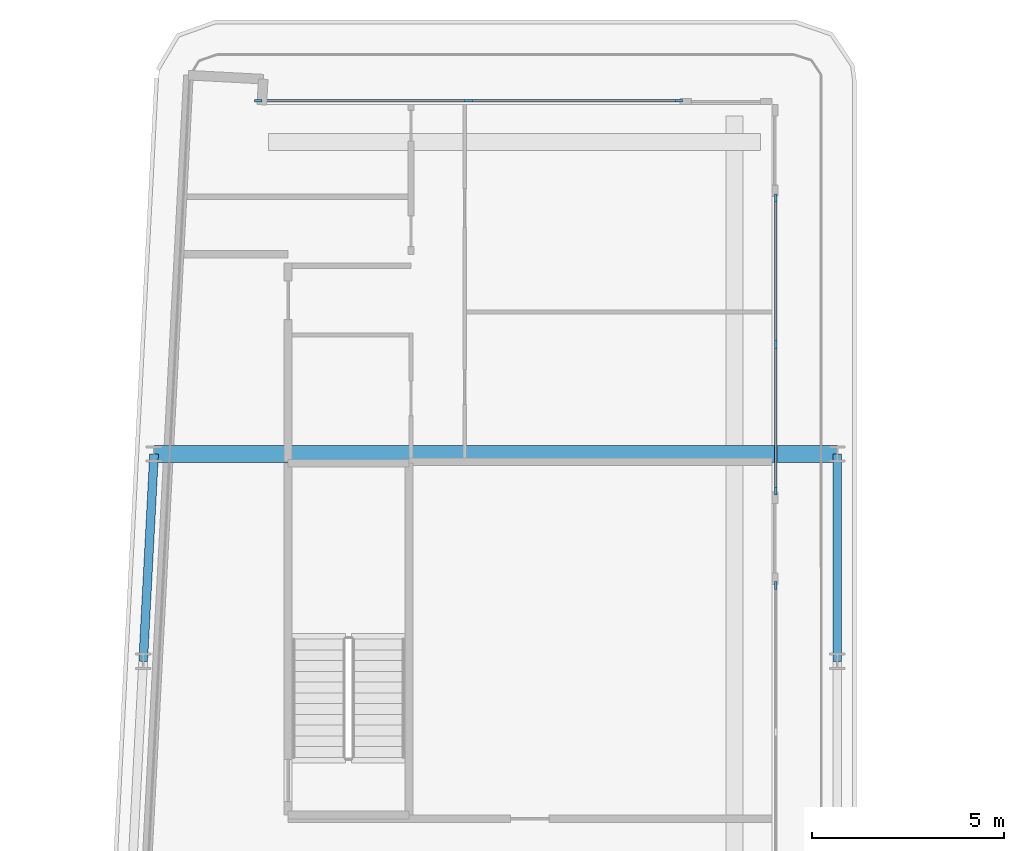
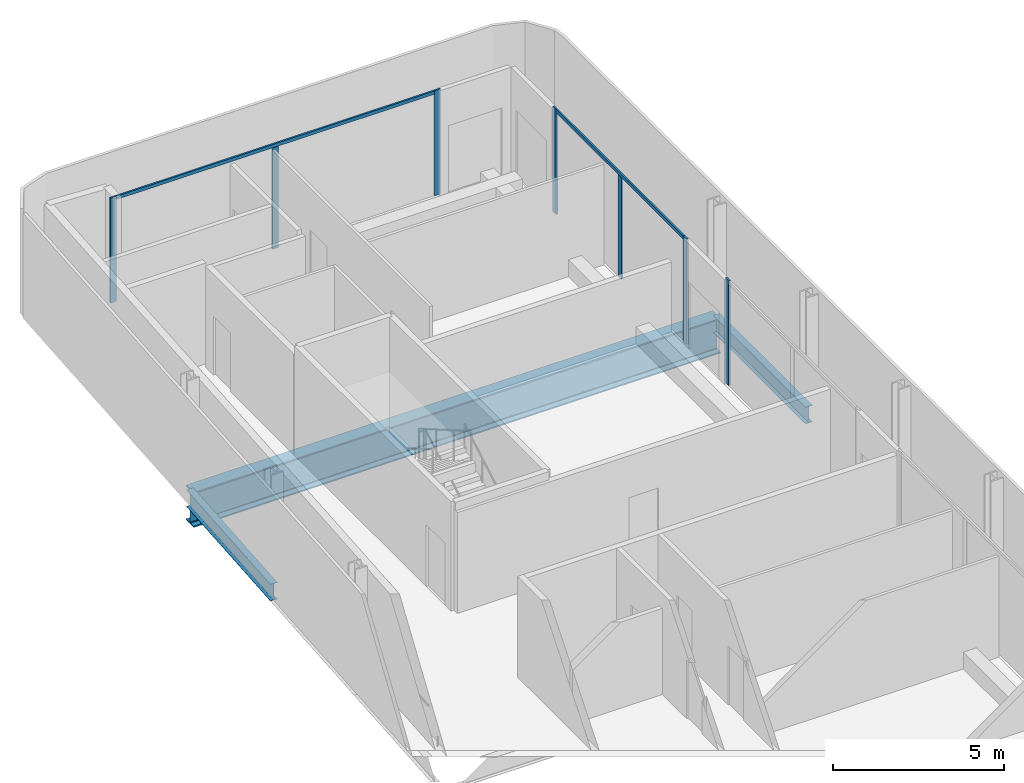
# One storey, part 11 of 28: 9 members, 3 beams, 3 elements without a shape of their own.
"""IFC4 building model written with IfcOpenShell, lengths in metres."""

from ifc_helpers import new_model, si_unit, direction, frame, origin, origin_2d, place, context, subcontext, project, spatial, rectangle, i_section, extrude, material, layer, layer_set, material_profile, profile_set, type_object, element, aggregate, save


model = new_model("IFC4")

# Units and contexts
model_context = context("Model", 3, precision=1e-05, world=origin(), true_north=direction((0.0, 1.0)))
body_context = subcontext(model_context, "Body", "Model", "MODEL_VIEW")
ifc_project = project(units=[si_unit("LENGTHUNIT", "METRE"), si_unit("AREAUNIT", "SQUARE_METRE"), si_unit("VOLUMEUNIT", "CUBIC_METRE"), si_unit("PLANEANGLEUNIT", "RADIAN"), si_unit("MASSUNIT", "GRAM", prefix="KILO")], contexts=[model_context])

# Site, building, storey
site_placement = place(None, origin())
site = spatial("IfcSite", under=ifc_project, at=site_placement, CompositionType="ELEMENT")
building_placement = place(site_placement, origin())
building = spatial("IfcBuilding", under=site, at=building_placement, Name="Kheshtan School and Residences Tower", CompositionType="ELEMENT")
storey_placement = place(building_placement, frame((0.0, 0.0, 191.60009765625)))
storey = spatial("IfcBuildingStorey", under=building, at=storey_placement, Name="L45", CompositionType="ELEMENT", Elevation=191.60009765625)

# Beams
ifc_material_1 = material(Name="Steel ASTM A992 Grade 50", Category="steel")
ifc_material_profile_1 = material_profile(ifc_material_1, i_section(OverallWidth=0.22802734375, OverallDepth=0.60302734375, WebThickness=0.010498046875, FlangeThickness=0.014892578125, FilletRadius=0.013427734375, at=origin_2d()), Name="W610x101")
ifc_profile_set_1 = profile_set([ifc_material_profile_1], Name="Steel ASTM A992 Grade 50")
beam_type_1 = type_object("IfcBeamType", Name="Beam SP2 W610x101 ASTM A992 Grade 50", PredefinedType="BEAM", material=ifc_profile_set_1)
beam_1_placement = place(storey_placement, frame((47.60009765625, 88.800048828125, -0.45166015625), z_axis=(0.0, -1.0, 0.0), x_axis=(1.0, 0.0, 0.0)))
element("IfcBeam", 1, at=beam_1_placement, inside=storey, type_object=beam_type_1, Name="Spandrel beam C099-C091", PredefinedType="BEAM", context=body_context, shape_type="SweptSolid", body=[
    extrude(i_section(OverallWidth=0.22802734375, OverallDepth=0.60302734375, WebThickness=0.010498046875, FlangeThickness=0.014892578125, FilletRadius=0.013427734375, at=origin_2d()), origin(), (0.0, 0.0, 1.0), 5.400146484375),
])
beam_2_placement = place(storey_placement, frame((29.527099609375, 83.39990234375, -0.45166015625), z_axis=(0.05250670125, 0.998620571751, 0.0), x_axis=(-0.998620571751, 0.05250670125, 0.0)))
element("IfcBeam", 2, at=beam_2_placement, inside=storey, type_object=beam_type_1, Name="Spandrel beam C090-C098", PredefinedType="BEAM", context=body_context, shape_type="SweptSolid", body=[
    extrude(i_section(OverallWidth=0.22802734375, OverallDepth=0.60302734375, WebThickness=0.010498046875, FlangeThickness=0.014892578125, FilletRadius=0.013427734375, at=origin_2d()), origin(), (0.0, 0.0, 1.0), 5.40771484375),
])

# Curtain wall, members
ifc_material_2 = material(Name="Clear low-e glass in thermally broken aluminium frame", Category="aluminium")
ifc_layer = layer(ifc_material_2, 0.199951171875)
ifc_layer_set = layer_set([ifc_layer], Name="Curtain wall CW-L")
curtain_wall_type = type_object("IfcCurtainWallType", Name="Curtain wall CW-L", PredefinedType="NOTDEFINED", material=ifc_layer_set)
curtain_wall_1_placement = place(storey_placement, origin())
curtain_wall_1 = element("IfcCurtainWall", 3, at=curtain_wall_1_placement, inside=storey, type_object=curtain_wall_type, Name="Curtain wall CWL7", PredefinedType="NOTDEFINED")
ifc_material_3 = material(Name="Thermally broken aluminium, dark bronze anodised", Category="aluminium")
ifc_material_profile_2 = material_profile(ifc_material_3, rectangle(XDim=0.06005859375, YDim=0.199951171875, at=origin_2d()), Name="CW-L mullion 60x200")
ifc_profile_set_2 = profile_set([ifc_material_profile_2], Name="Thermally broken aluminium, dark bronze anodised")
member_type_1 = type_object("IfcMemberType", Name="CW-L mullion 60x200", PredefinedType="MULLION", material=ifc_profile_set_2)
member_1_placement = place(storey_placement, frame((32.52197265625, 98.0, 0.0), z_axis=(0.0, 0.0, 1.0), x_axis=(0.0, 1.0, 0.0)))
member_1 = element("IfcMember", 4, at=member_1_placement, type_object=member_type_1, Name="CWL7 mullion 1", PredefinedType="MULLION", context=body_context, shape_type="SweptSolid", body=[
    extrude(rectangle(XDim=0.06005859375, YDim=0.199951171875, at=origin_2d()), origin(), (0.0, 0.0, 1.0), 3.75),
])
member_2_placement = place(storey_placement, frame((37.99609375, 98.0, 0.0), z_axis=(0.0, 0.0, 1.0), x_axis=(0.0, 1.0, 0.0)))
member_2 = element("IfcMember", 5, at=member_2_placement, type_object=member_type_1, Name="CWL7 mullion 2", PredefinedType="MULLION", context=body_context, shape_type="SweptSolid", body=[
    extrude(rectangle(XDim=0.06005859375, YDim=0.199951171875, at=origin_2d()), origin(), (0.0, 0.0, 1.0), 3.6298828125),
])
member_3_placement = place(storey_placement, frame((43.469970703125, 98.0, 0.0), z_axis=(0.0, 0.0, 1.0), x_axis=(0.0, 1.0, 0.0)))
member_3 = element("IfcMember", 6, at=member_3_placement, type_object=member_type_1, Name="CWL7 mullion 3", PredefinedType="MULLION", context=body_context, shape_type="SweptSolid", body=[
    extrude(rectangle(XDim=0.06005859375, YDim=0.199951171875, at=origin_2d()), origin(), (0.0, 0.0, 1.0), 3.75),
])

curtain_wall_2_placement = place(storey_placement, origin())
curtain_wall_2 = element("IfcCurtainWall", 7, at=curtain_wall_2_placement, inside=storey, type_object=curtain_wall_type, Name="Curtain wall CWL8", PredefinedType="NOTDEFINED")
member_4_placement = place(storey_placement, frame((46.0, 95.469970703125, 0.0), z_axis=(0.0, 0.0, 1.0), x_axis=(1.0, 0.0, 0.0)))
member_4 = element("IfcMember", 8, at=member_4_placement, type_object=member_type_1, Name="CWL8 mullion 1", PredefinedType="MULLION", context=body_context, shape_type="SweptSolid", body=[
    extrude(rectangle(XDim=0.06005859375, YDim=0.199951171875, at=origin_2d()), origin(), (0.0, 0.0, 1.0), 3.75),
])
member_5_placement = place(storey_placement, frame((46.0, 91.653076171875, 0.0), z_axis=(0.0, 0.0, 1.0), x_axis=(1.0, 0.0, 0.0)))
member_5 = element("IfcMember", 9, at=member_5_placement, type_object=member_type_1, Name="CWL8 mullion 2", PredefinedType="MULLION", context=body_context, shape_type="SweptSolid", body=[
    extrude(rectangle(XDim=0.06005859375, YDim=0.199951171875, at=origin_2d()), origin(), (0.0, 0.0, 1.0), 3.6298828125),
])
member_6_placement = place(storey_placement, frame((46.0, 87.8359375, 0.0), z_axis=(0.0, 0.0, 1.0), x_axis=(1.0, 0.0, 0.0)))
member_6 = element("IfcMember", 10, at=member_6_placement, type_object=member_type_1, Name="CWL8 mullion 3", PredefinedType="MULLION", context=body_context, shape_type="SweptSolid", body=[
    extrude(rectangle(XDim=0.06005859375, YDim=0.199951171875, at=origin_2d()), origin(), (0.0, 0.0, 1.0), 3.75),
])

# Curtain wall, member
curtain_wall_3_placement = place(storey_placement, origin())
curtain_wall_3 = element("IfcCurtainWall", 11, at=curtain_wall_3_placement, inside=storey, type_object=curtain_wall_type, Name="Curtain wall CWL8", PredefinedType="NOTDEFINED")
member_7_placement = place(storey_placement, frame((46.0, 85.3759765625, 0.0), z_axis=(0.0, 0.0, 1.0), x_axis=(1.0, 0.0, 0.0)))
member_7 = element("IfcMember", 12, at=member_7_placement, type_object=member_type_1, Name="CWL8 mullion 1", PredefinedType="MULLION", context=body_context, shape_type="SweptSolid", body=[
    extrude(rectangle(XDim=0.06005859375, YDim=0.199951171875, at=origin_2d()), origin(), (0.0, 0.0, 1.0), 3.75),
])
aggregate(curtain_wall_3, [member_7])

# Member
ifc_material_profile_3 = material_profile(ifc_material_3, rectangle(XDim=0.06005859375, YDim=0.1201171875, at=origin_2d()), Name="CW-L transom 60x120")
ifc_profile_set_3 = profile_set([ifc_material_profile_3], Name="Thermally broken aluminium, dark bronze anodised")
member_type_2 = type_object("IfcMemberType", Name="CW-L transom 60x120", PredefinedType="USERDEFINED", material=ifc_profile_set_3)
member_8_placement = place(storey_placement, frame((32.552001953125, 98.0, 3.68994140625), z_axis=(1.0, 0.0, 0.0), x_axis=(0.0, 1.0, 0.0)))
member_8 = element("IfcMember", 13, at=member_8_placement, type_object=member_type_2, Name="CWL7 transom 1", ObjectType="TRANSOM", PredefinedType="USERDEFINED", context=body_context, shape_type="SweptSolid", body=[
    extrude(rectangle(XDim=0.06005859375, YDim=0.1201171875, at=origin_2d()), origin(), (0.0, 0.0, 1.0), 10.887939453125),
])

aggregate(curtain_wall_1, [member_1, member_2, member_3, member_8])

member_9_placement = place(storey_placement, frame((46.0, 95.43994140625, 3.68994140625), z_axis=(0.0, -1.0, 0.0), x_axis=(1.0, 0.0, 0.0)))
member_9 = element("IfcMember", 14, at=member_9_placement, type_object=member_type_2, Name="CWL8 transom 1", ObjectType="TRANSOM", PredefinedType="USERDEFINED", context=body_context, shape_type="SweptSolid", body=[
    extrude(rectangle(XDim=0.06005859375, YDim=0.1201171875, at=origin_2d()), origin(), (0.0, 0.0, 1.0), 7.573974609375),
])

aggregate(curtain_wall_2, [member_4, member_5, member_6, member_9])

# Beam
ifc_material_profile_4 = material_profile(ifc_material_1, i_section(OverallWidth=0.449951171875, OverallDepth=1.25, WebThickness=0.02490234375, FlangeThickness=0.044921875, FilletRadius=0.03759765625, at=origin_2d()), Name="WWF1250x546")
ifc_profile_set_4 = profile_set([ifc_material_profile_4], Name="Steel ASTM A992 Grade 50")
beam_type_2 = type_object("IfcBeamType", Name="Transfer girder TG4 WWF1250x546 ASTM A992 Grade 50", PredefinedType="BEAM", material=ifc_profile_set_4)
beam_3_placement = place(storey_placement, frame((29.81103515625, 88.800048828125, -0.775146484375), z_axis=(1.0, 0.0, 0.0), x_axis=(0.0, 1.0, 0.0)))
element("IfcBeam", 15, at=beam_3_placement, inside=storey, type_object=beam_type_2, Name="Transfer girder C098-C099", PredefinedType="BEAM", context=body_context, shape_type="SweptSolid", body=[
    extrude(i_section(OverallWidth=0.449951171875, OverallDepth=1.25, WebThickness=0.02490234375, FlangeThickness=0.044921875, FilletRadius=0.03759765625, at=origin_2d()), origin(), (0.0, 0.0, 1.0), 17.7890625),
])

save(model, "model.ifc")
